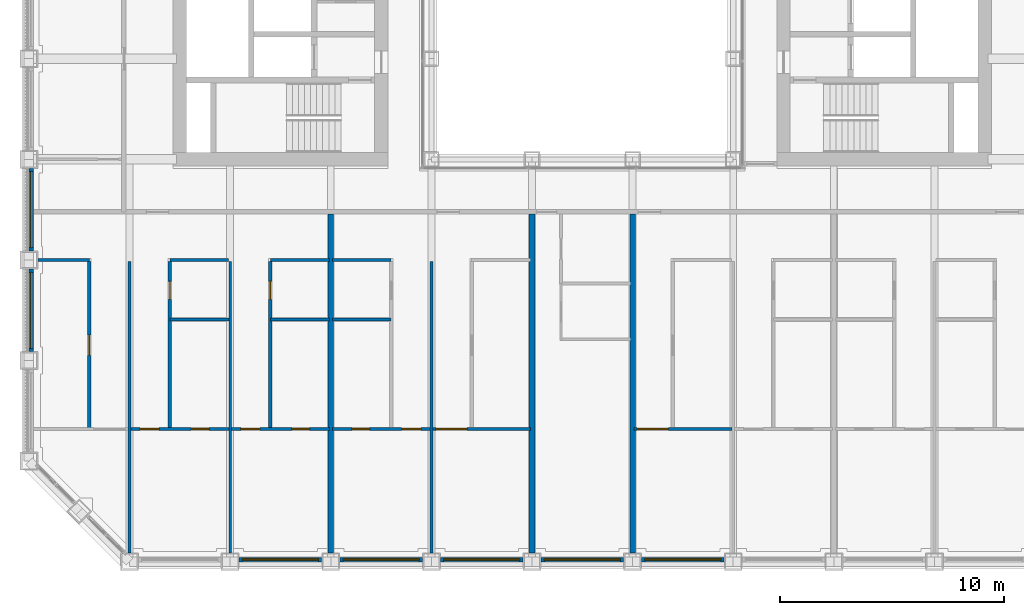
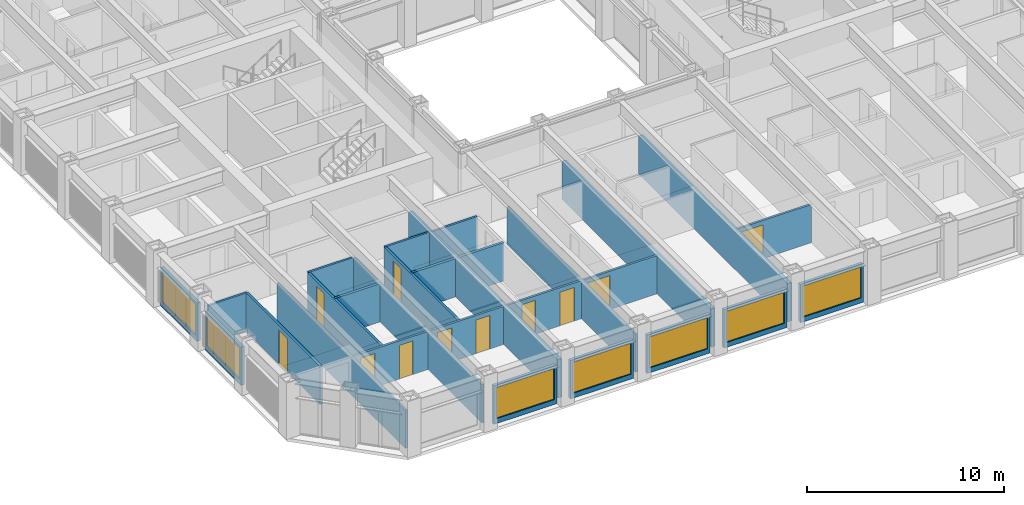
# One storey, part 9 of 21: 28 walls, 11 doors, 7 windows, 18 openings.
"""IFC4 building model written with IfcOpenShell, lengths in metres."""

from ifc_helpers import new_model, si_unit, direction, frame, frame_2d, origin, place, context, subcontext, project, spatial, rectangle, extrude, material, layer, layer_set, type_object, element, fill, save


model = new_model("IFC4")

# Units and contexts
model_context = context("Model", 3, precision=1e-05, world=origin(), true_north=direction((0.0, 1.0)))
body_context = subcontext(model_context, "Body", "Model", "MODEL_VIEW")
ifc_project = project(units=[si_unit("LENGTHUNIT", "METRE"), si_unit("AREAUNIT", "SQUARE_METRE"), si_unit("VOLUMEUNIT", "CUBIC_METRE"), si_unit("PLANEANGLEUNIT", "RADIAN"), si_unit("MASSUNIT", "GRAM", prefix="KILO")], contexts=[model_context])

# Site, building, storey
site_placement = place(None, origin())
site = spatial("IfcSite", under=ifc_project, at=site_placement, CompositionType="ELEMENT")
building_placement = place(site_placement, origin())
building = spatial("IfcBuilding", under=site, at=building_placement, Name="Msasa Ring Tower", CompositionType="ELEMENT")
storey_placement = place(building_placement, frame((0.0, 0.0, 68.5)))
storey = spatial("IfcBuildingStorey", under=building, at=storey_placement, Name="L17", CompositionType="ELEMENT", Elevation=68.5)

# Wall, opening, window
ifc_material_1 = material(Name="Terracotta rainscreen on blockwork", Category="masonry")
ifc_layer_1 = layer(ifc_material_1, 0.199951171875)
ifc_layer_set_1 = layer_set([ifc_layer_1], Name="FW1 TERRACOTTA-LINED INFILL BAY WALL 200")
wall_type_1 = type_object("IfcWallType", Name="FW1 TERRACOTTA-LINED INFILL BAY WALL 200", PredefinedType="SOLIDWALL", material=ifc_layer_set_1)
wall_1_placement = place(storey_placement, frame((-15.344970703125, -24.64990234375, 0.0), z_axis=(0.0, 0.0, 1.0), x_axis=(1.0, 0.0, 0.0)))
wall_1 = element("IfcWall", 1, at=wall_1_placement, inside=storey, type_object=wall_type_1, Name="Infill bay wall S L17 01", PredefinedType="SOLIDWALL", context=body_context, shape_type="SweptSolid", body=[
    extrude(rectangle(XDim=3.68994140625, YDim=0.199951171875, at=frame_2d((1.844970703125, 0.0))), origin(), (0.0, 0.0, 1.0), 2.37890625),
])
opening_1_placement = place(wall_1_placement, frame((0.14501953125, 0.0, 0.300048828125)))
opening_1 = element("IfcOpeningElement", 2, at=opening_1_placement, cuts=wall_1, Name="Opening WN1", PredefinedType="OPENING", context=body_context, shape_type="SweptSolid", body=[
    extrude(rectangle(XDim=3.39990234375, YDim=1.928955078125, at=frame_2d((1.699951171875, 0.96435546875))), frame((0.0, 0.10986328125, 0.0), z_axis=(0.0, -1.0, 0.0), x_axis=(1.0, 0.0, 0.0)), (0.0, 0.0, 1.0), 0.219970703125),
])
ifc_material_2 = material(Name="Aluminium frame with clear glass", Category="aluminium")
window_type = type_object("IfcWindowType", Name="WN1 RESIDENCE WINDOW 3400x1929", PartitioningType="SINGLE_PANEL", PredefinedType="WINDOW", material=ifc_material_2)
window_1_placement = place(opening_1_placement, origin())
window_1 = element("IfcWindow", 3, at=window_1_placement, inside=storey, type_object=window_type, Name="Window S L17 01", OverallHeight=1.928955078125, OverallWidth=3.39990234375, PartitioningType="SINGLE_PANEL", PredefinedType="WINDOW", context=body_context, shape_type="SweptSolid", body=[
    extrude(rectangle(XDim=3.39990234375, YDim=1.928955078125, at=frame_2d((1.699951171875, 0.96435546875))), frame((0.0, 0.030029296875, 0.0), z_axis=(0.0, -1.0, 0.0), x_axis=(1.0, 0.0, 0.0)), (0.0, 0.0, 1.0), 0.06005859375),
])
fill(opening_1, window_1)

wall_2_placement = place(storey_placement, frame((-10.844970703125, -24.64990234375, 0.0), z_axis=(0.0, 0.0, 1.0), x_axis=(1.0, 0.0, 0.0)))
wall_2 = element("IfcWall", 4, at=wall_2_placement, inside=storey, type_object=wall_type_1, Name="Infill bay wall S L17 02", PredefinedType="SOLIDWALL", context=body_context, shape_type="SweptSolid", body=[
    extrude(rectangle(XDim=3.68994140625, YDim=0.199951171875, at=frame_2d((1.844970703125, 0.0))), origin(), (0.0, 0.0, 1.0), 2.37890625),
])
opening_2_placement = place(wall_2_placement, frame((0.14501953125, 0.0, 0.300048828125)))
opening_2 = element("IfcOpeningElement", 5, at=opening_2_placement, cuts=wall_2, Name="Opening WN1", PredefinedType="OPENING", context=body_context, shape_type="SweptSolid", body=[
    extrude(rectangle(XDim=3.39990234375, YDim=1.928955078125, at=frame_2d((1.699951171875, 0.96435546875))), frame((0.0, 0.10986328125, 0.0), z_axis=(0.0, -1.0, 0.0), x_axis=(1.0, 0.0, 0.0)), (0.0, 0.0, 1.0), 0.219970703125),
])
window_2_placement = place(opening_2_placement, origin())
window_2 = element("IfcWindow", 6, at=window_2_placement, inside=storey, type_object=window_type, Name="Window S L17 02", OverallHeight=1.928955078125, OverallWidth=3.39990234375, PartitioningType="SINGLE_PANEL", PredefinedType="WINDOW", context=body_context, shape_type="SweptSolid", body=[
    extrude(rectangle(XDim=3.39990234375, YDim=1.928955078125, at=frame_2d((1.699951171875, 0.96435546875))), frame((0.0, 0.030029296875, 0.0), z_axis=(0.0, -1.0, 0.0), x_axis=(1.0, 0.0, 0.0)), (0.0, 0.0, 1.0), 0.06005859375),
])
fill(opening_2, window_2)

wall_3_placement = place(storey_placement, frame((-6.344970703125, -24.64990234375, 0.0), z_axis=(0.0, 0.0, 1.0), x_axis=(1.0, 0.0, 0.0)))
wall_3 = element("IfcWall", 7, at=wall_3_placement, inside=storey, type_object=wall_type_1, Name="Infill bay wall S L17 03", PredefinedType="SOLIDWALL", context=body_context, shape_type="SweptSolid", body=[
    extrude(rectangle(XDim=3.68994140625, YDim=0.199951171875, at=frame_2d((1.844970703125, 0.0))), origin(), (0.0, 0.0, 1.0), 2.37890625),
])
opening_3_placement = place(wall_3_placement, frame((0.14501953125, 0.0, 0.300048828125)))
opening_3 = element("IfcOpeningElement", 8, at=opening_3_placement, cuts=wall_3, Name="Opening WN1", PredefinedType="OPENING", context=body_context, shape_type="SweptSolid", body=[
    extrude(rectangle(XDim=3.39990234375, YDim=1.928955078125, at=frame_2d((1.699951171875, 0.96435546875))), frame((0.0, 0.10986328125, 0.0), z_axis=(0.0, -1.0, 0.0), x_axis=(1.0, 0.0, 0.0)), (0.0, 0.0, 1.0), 0.219970703125),
])
window_3_placement = place(opening_3_placement, origin())
window_3 = element("IfcWindow", 9, at=window_3_placement, inside=storey, type_object=window_type, Name="Window S L17 03", OverallHeight=1.928955078125, OverallWidth=3.39990234375, PartitioningType="SINGLE_PANEL", PredefinedType="WINDOW", context=body_context, shape_type="SweptSolid", body=[
    extrude(rectangle(XDim=3.39990234375, YDim=1.928955078125, at=frame_2d((1.699951171875, 0.96435546875))), frame((0.0, 0.030029296875, 0.0), z_axis=(0.0, -1.0, 0.0), x_axis=(1.0, 0.0, 0.0)), (0.0, 0.0, 1.0), 0.06005859375),
])
fill(opening_3, window_3)

wall_4_placement = place(storey_placement, frame((-1.844970703125, -24.64990234375, 0.0), z_axis=(0.0, 0.0, 1.0), x_axis=(1.0, 0.0, 0.0)))
wall_4 = element("IfcWall", 10, at=wall_4_placement, inside=storey, type_object=wall_type_1, Name="Infill bay wall S L17 04", PredefinedType="SOLIDWALL", context=body_context, shape_type="SweptSolid", body=[
    extrude(rectangle(XDim=3.68994140625, YDim=0.199951171875, at=frame_2d((1.844970703125, 0.0))), origin(), (0.0, 0.0, 1.0), 2.37890625),
])
opening_4_placement = place(wall_4_placement, frame((0.14501953125, 0.0, 0.300048828125)))
opening_4 = element("IfcOpeningElement", 11, at=opening_4_placement, cuts=wall_4, Name="Opening WN1", PredefinedType="OPENING", context=body_context, shape_type="SweptSolid", body=[
    extrude(rectangle(XDim=3.39990234375, YDim=1.928955078125, at=frame_2d((1.699951171875, 0.96435546875))), frame((0.0, 0.10986328125, 0.0), z_axis=(0.0, -1.0, 0.0), x_axis=(1.0, 0.0, 0.0)), (0.0, 0.0, 1.0), 0.219970703125),
])
window_4_placement = place(opening_4_placement, origin())
window_4 = element("IfcWindow", 12, at=window_4_placement, inside=storey, type_object=window_type, Name="Window S L17 04", OverallHeight=1.928955078125, OverallWidth=3.39990234375, PartitioningType="SINGLE_PANEL", PredefinedType="WINDOW", context=body_context, shape_type="SweptSolid", body=[
    extrude(rectangle(XDim=3.39990234375, YDim=1.928955078125, at=frame_2d((1.699951171875, 0.96435546875))), frame((0.0, 0.030029296875, 0.0), z_axis=(0.0, -1.0, 0.0), x_axis=(1.0, 0.0, 0.0)), (0.0, 0.0, 1.0), 0.06005859375),
])
fill(opening_4, window_4)

wall_5_placement = place(storey_placement, frame((2.655029296875, -24.64990234375, 0.0), z_axis=(0.0, 0.0, 1.0), x_axis=(1.0, 0.0, 0.0)))
wall_5 = element("IfcWall", 13, at=wall_5_placement, inside=storey, type_object=wall_type_1, Name="Infill bay wall S L17 05", PredefinedType="SOLIDWALL", context=body_context, shape_type="SweptSolid", body=[
    extrude(rectangle(XDim=3.68994140625, YDim=0.199951171875, at=frame_2d((1.844970703125, 0.0))), origin(), (0.0, 0.0, 1.0), 2.37890625),
])
opening_5_placement = place(wall_5_placement, frame((0.14501953125, 0.0, 0.300048828125)))
opening_5 = element("IfcOpeningElement", 14, at=opening_5_placement, cuts=wall_5, Name="Opening WN1", PredefinedType="OPENING", context=body_context, shape_type="SweptSolid", body=[
    extrude(rectangle(XDim=3.39990234375, YDim=1.928955078125, at=frame_2d((1.699951171875, 0.96435546875))), frame((0.0, 0.10986328125, 0.0), z_axis=(0.0, -1.0, 0.0), x_axis=(1.0, 0.0, 0.0)), (0.0, 0.0, 1.0), 0.219970703125),
])
window_5_placement = place(opening_5_placement, origin())
window_5 = element("IfcWindow", 15, at=window_5_placement, inside=storey, type_object=window_type, Name="Window S L17 05", OverallHeight=1.928955078125, OverallWidth=3.39990234375, PartitioningType="SINGLE_PANEL", PredefinedType="WINDOW", context=body_context, shape_type="SweptSolid", body=[
    extrude(rectangle(XDim=3.39990234375, YDim=1.928955078125, at=frame_2d((1.699951171875, 0.96435546875))), frame((0.0, 0.030029296875, 0.0), z_axis=(0.0, -1.0, 0.0), x_axis=(1.0, 0.0, 0.0)), (0.0, 0.0, 1.0), 0.06005859375),
])
fill(opening_5, window_5)

wall_6_placement = place(storey_placement, frame((-24.64990234375, -15.344970703125, 0.0), z_axis=(0.0, 0.0, 1.0), x_axis=(0.0, 1.0, 0.0)))
wall_6 = element("IfcWall", 16, at=wall_6_placement, inside=storey, type_object=wall_type_1, Name="Infill bay wall W L17 34", PredefinedType="SOLIDWALL", context=body_context, shape_type="SweptSolid", body=[
    extrude(rectangle(XDim=3.68994140625, YDim=0.199951171875, at=frame_2d((1.844970703125, 0.0))), origin(), (0.0, 0.0, 1.0), 2.37890625),
])
opening_6_placement = place(wall_6_placement, frame((0.14501953125, 0.0, 0.300048828125)))
opening_6 = element("IfcOpeningElement", 17, at=opening_6_placement, cuts=wall_6, Name="Opening WN1", PredefinedType="OPENING", context=body_context, shape_type="SweptSolid", body=[
    extrude(rectangle(XDim=3.39990234375, YDim=1.928955078125, at=frame_2d((1.699951171875, 0.96435546875))), frame((0.0, 0.10986328125, 0.0), z_axis=(0.0, -1.0, 0.0), x_axis=(1.0, 0.0, 0.0)), (0.0, 0.0, 1.0), 0.219970703125),
])
window_6_placement = place(opening_6_placement, origin())
window_6 = element("IfcWindow", 18, at=window_6_placement, inside=storey, type_object=window_type, Name="Window W L17 34", OverallHeight=1.928955078125, OverallWidth=3.39990234375, PartitioningType="SINGLE_PANEL", PredefinedType="WINDOW", context=body_context, shape_type="SweptSolid", body=[
    extrude(rectangle(XDim=3.39990234375, YDim=1.928955078125, at=frame_2d((1.699951171875, 0.96435546875))), frame((0.0, 0.030029296875, 0.0), z_axis=(0.0, -1.0, 0.0), x_axis=(1.0, 0.0, 0.0)), (0.0, 0.0, 1.0), 0.06005859375),
])
fill(opening_6, window_6)

wall_7_placement = place(storey_placement, frame((-24.64990234375, -10.844970703125, 0.0), z_axis=(0.0, 0.0, 1.0), x_axis=(0.0, 1.0, 0.0)))
wall_7 = element("IfcWall", 19, at=wall_7_placement, inside=storey, type_object=wall_type_1, Name="Infill bay wall W L17 35", PredefinedType="SOLIDWALL", context=body_context, shape_type="SweptSolid", body=[
    extrude(rectangle(XDim=3.68994140625, YDim=0.199951171875, at=frame_2d((1.844970703125, 0.0))), origin(), (0.0, 0.0, 1.0), 2.37890625),
])
opening_7_placement = place(wall_7_placement, frame((0.14501953125, 0.0, 0.300048828125)))
opening_7 = element("IfcOpeningElement", 20, at=opening_7_placement, cuts=wall_7, Name="Opening WN1", PredefinedType="OPENING", context=body_context, shape_type="SweptSolid", body=[
    extrude(rectangle(XDim=3.39990234375, YDim=1.928955078125, at=frame_2d((1.699951171875, 0.96435546875))), frame((0.0, 0.10986328125, 0.0), z_axis=(0.0, -1.0, 0.0), x_axis=(1.0, 0.0, 0.0)), (0.0, 0.0, 1.0), 0.219970703125),
])
window_7_placement = place(opening_7_placement, origin())
window_7 = element("IfcWindow", 21, at=window_7_placement, inside=storey, type_object=window_type, Name="Window W L17 35", OverallHeight=1.928955078125, OverallWidth=3.39990234375, PartitioningType="SINGLE_PANEL", PredefinedType="WINDOW", context=body_context, shape_type="SweptSolid", body=[
    extrude(rectangle(XDim=3.39990234375, YDim=1.928955078125, at=frame_2d((1.699951171875, 0.96435546875))), frame((0.0, 0.030029296875, 0.0), z_axis=(0.0, -1.0, 0.0), x_axis=(1.0, 0.0, 0.0)), (0.0, 0.0, 1.0), 0.06005859375),
])
fill(opening_7, window_7)

# Walls
ifc_material_3 = material(Name="Dense concrete blockwork, plastered both faces", Category="masonry")
ifc_layer_2 = layer(ifc_material_3, 0.25)
ifc_layer_set_2 = layer_set([ifc_layer_2], Name="PT3 APARTMENT SEPARATING WALL 250")
wall_type_2 = type_object("IfcWallType", Name="PT3 APARTMENT SEPARATING WALL 250", PredefinedType="PARTITIONING", material=ifc_layer_set_2)
for number, where, z_axis, x_axis, name in (
    (22, (-11.25, -24.35009765625, 0.0), (0.0, 0.0, 1.0), (0.0, 1.0, 0.0), "Party wall L17-PWS-11.25"),
    (23, (-2.25, -24.35009765625, 0.0), (0.0, 0.0, 1.0), (0.0, 1.0, 0.0), "Party wall L17-PWS-2.25"),
    (24, (2.25, -24.35009765625, 0.0), (0.0, 0.0, 1.0), (0.0, 1.0, 0.0), "Party wall L17-PWS+2.25"),
):
    element("IfcWall", number, at=place(storey_placement, frame(where, z_axis=z_axis, x_axis=x_axis)), inside=storey, type_object=wall_type_2, Name=name, PredefinedType="PARTITIONING", context=body_context, shape_type="SweptSolid", body=[
        extrude(rectangle(XDim=15.150146484375, YDim=0.25, at=frame_2d((7.5751953125, 0.0))), origin(), (0.0, 0.0, 1.0), 2.373291015625),
    ])

# Wall, opening, door
ifc_material_4 = material(Name="Moisture-resistant board on steel studs with a concealed cistern and pipe void, tiled", Category="steel")
ifc_layer_3 = layer(ifc_material_4, 0.14990234375)
ifc_layer_set_3 = layer_set([ifc_layer_3], Name="PT4 BATHROOM WET WALL 150")
wall_type_3 = type_object("IfcWallType", Name="PT4 BATHROOM WET WALL 150", PredefinedType="PARTITIONING", material=ifc_layer_set_3)
wall_8_placement = place(storey_placement, frame((-22.050048828125, -18.8125, 0.0), z_axis=(0.0, 0.0, 1.0), x_axis=(0.0, 1.0, 0.0)))
wall_8 = element("IfcWall", 25, at=wall_8_placement, inside=storey, type_object=wall_type_3, Name="Partition L17-US00SX0", PredefinedType="PARTITIONING", context=body_context, shape_type="SweptSolid", body=[
    extrude(rectangle(XDim=7.5, YDim=0.14990234375, at=frame_2d((3.75, 0.0))), origin(), (0.0, 0.0, 1.0), 2.373291015625),
])
opening_8_placement = place(wall_8_placement, frame((3.300048828125, 0.0, 0.0)))
opening_8 = element("IfcOpeningElement", 26, at=opening_8_placement, cuts=wall_8, Name="Opening RE-069", PredefinedType="OPENING", context=body_context, shape_type="SweptSolid", body=[
    extrude(rectangle(XDim=0.89990234375, YDim=2.10009765625, at=frame_2d((0.449951171875, 1.050048828125))), frame((0.0, 0.0849609375, 0.0), z_axis=(0.0, -1.0, 0.0), x_axis=(1.0, 0.0, 0.0)), (0.0, 0.0, 1.0), 0.169921875),
])
ifc_material_5 = material(Name="Timber door leaf in a steel frame", Category="steel")
door_type_1 = type_object("IfcDoorType", Name="D22 INTERNAL HALL DOOR 900x2100", OperationType="SINGLE_SWING_LEFT", PredefinedType="DOOR", material=ifc_material_5)
door_1_placement = place(opening_8_placement, origin())
door_1 = element("IfcDoor", 27, at=door_1_placement, inside=storey, type_object=door_type_1, Name="Door L17-US00K", OperationType="SINGLE_SWING_LEFT", OverallHeight=2.10009765625, OverallWidth=0.89990234375, PredefinedType="DOOR", context=body_context, shape_type="SweptSolid", body=[
    extrude(rectangle(XDim=0.89990234375, YDim=2.10009765625, at=frame_2d((0.449951171875, 1.050048828125))), frame((0.0, 0.02490234375, 0.0), z_axis=(0.0, -1.0, 0.0), x_axis=(1.0, 0.0, 0.0)), (0.0, 0.0, 1.0), 0.050048828125),
])
fill(opening_8, door_1)

wall_9_placement = place(storey_placement, frame((-18.449951171875, -18.8125, 0.0), z_axis=(0.0, 0.0, 1.0), x_axis=(0.0, 1.0, 0.0)))
wall_9 = element("IfcWall", 28, at=wall_9_placement, inside=storey, type_object=wall_type_3, Name="Partition L17-US00SX1", PredefinedType="PARTITIONING", context=body_context, shape_type="SweptSolid", body=[
    extrude(rectangle(XDim=7.5, YDim=0.14990234375, at=frame_2d((3.75, 0.0))), origin(), (0.0, 0.0, 1.0), 2.373291015625),
])
opening_9_placement = place(wall_9_placement, frame((5.800048828125, 0.0, 0.0)))
opening_9 = element("IfcOpeningElement", 29, at=opening_9_placement, cuts=wall_9, Name="Opening RE-062", PredefinedType="OPENING", context=body_context, shape_type="SweptSolid", body=[
    extrude(rectangle(XDim=0.800048828125, YDim=2.10009765625, at=frame_2d((0.39990234375, 1.050048828125))), frame((0.0, 0.0849609375, 0.0), z_axis=(0.0, -1.0, 0.0), x_axis=(1.0, 0.0, 0.0)), (0.0, 0.0, 1.0), 0.169921875),
])
ifc_material_6 = material(Name="Timber door leaf in a steel frame", Category="steel")
door_type_2 = type_object("IfcDoorType", Name="D21 POCKET SLIDING BATHROOM DOOR 800x2100", OperationType="SINGLE_SWING_LEFT", PredefinedType="DOOR", material=ifc_material_6)
door_2_placement = place(opening_9_placement, origin())
door_2 = element("IfcDoor", 30, at=door_2_placement, inside=storey, type_object=door_type_2, Name="Door L17-US00B1", OperationType="SINGLE_SWING_RIGHT", OverallHeight=2.10009765625, OverallWidth=0.800048828125, PredefinedType="DOOR", context=body_context, shape_type="SweptSolid", body=[
    extrude(rectangle(XDim=0.800048828125, YDim=2.10009765625, at=frame_2d((0.39990234375, 1.050048828125))), frame((0.0, 0.02490234375, 0.0), z_axis=(0.0, -1.0, 0.0), x_axis=(1.0, 0.0, 0.0)), (0.0, 0.0, 1.0), 0.050048828125),
])
fill(opening_9, door_2)

# Wall
wall_10_placement = place(storey_placement, frame((-18.449951171875, -13.91259765625, 0.0), z_axis=(0.0, 0.0, 1.0), x_axis=(1.0, 0.0, 0.0)))
element("IfcWall", 31, at=wall_10_placement, inside=storey, type_object=wall_type_3, Name="Partition L17-US00SB1", PredefinedType="PARTITIONING", context=body_context, shape_type="SweptSolid", body=[
    extrude(rectangle(XDim=2.637451171875, YDim=0.14990234375, at=frame_2d((1.31884765625, 0.0))), origin(), (0.0, 0.0, 1.0), 2.373291015625),
])

# Wall, opening, door
wall_11_placement = place(storey_placement, frame((-13.949951171875, -18.8125, 0.0), z_axis=(0.0, 0.0, 1.0), x_axis=(0.0, 1.0, 0.0)))
wall_11 = element("IfcWall", 32, at=wall_11_placement, inside=storey, type_object=wall_type_3, Name="Partition L17-US00SX2", PredefinedType="PARTITIONING", context=body_context, shape_type="SweptSolid", body=[
    extrude(rectangle(XDim=7.5, YDim=0.14990234375, at=frame_2d((3.75, 0.0))), origin(), (0.0, 0.0, 1.0), 2.373291015625),
])
opening_10_placement = place(wall_11_placement, frame((5.800048828125, 0.0, 0.0)))
opening_10 = element("IfcOpeningElement", 33, at=opening_10_placement, cuts=wall_11, Name="Opening RE-063", PredefinedType="OPENING", context=body_context, shape_type="SweptSolid", body=[
    extrude(rectangle(XDim=0.800048828125, YDim=2.10009765625, at=frame_2d((0.39990234375, 1.050048828125))), frame((0.0, 0.0849609375, 0.0), z_axis=(0.0, -1.0, 0.0), x_axis=(1.0, 0.0, 0.0)), (0.0, 0.0, 1.0), 0.169921875),
])
door_3_placement = place(opening_10_placement, origin())
door_3 = element("IfcDoor", 34, at=door_3_placement, inside=storey, type_object=door_type_2, Name="Door L17-US00B2", OperationType="SINGLE_SWING_RIGHT", OverallHeight=2.10009765625, OverallWidth=0.800048828125, PredefinedType="DOOR", context=body_context, shape_type="SweptSolid", body=[
    extrude(rectangle(XDim=0.800048828125, YDim=2.10009765625, at=frame_2d((0.39990234375, 1.050048828125))), frame((0.0, 0.02490234375, 0.0), z_axis=(0.0, -1.0, 0.0), x_axis=(1.0, 0.0, 0.0)), (0.0, 0.0, 1.0), 0.050048828125),
])
fill(opening_10, door_3)

# Walls
for number, where, z_axis, x_axis, name in (
    (35, (-13.949951171875, -13.91259765625, 0.0), (0.0, 0.0, 1.0), (1.0, 0.0, 0.0), "Partition L17-US00SB2"),
    (36, (-11.1826171875, -13.91259765625, 0.0), (0.0, 0.0, 1.0), (1.0, 0.0, 0.0), "Partition L17-US01SB1"),
):
    element("IfcWall", number, at=place(storey_placement, frame(where, z_axis=z_axis, x_axis=x_axis)), inside=storey, type_object=wall_type_3, Name=name, PredefinedType="PARTITIONING", context=body_context, shape_type="SweptSolid", body=[
        extrude(rectangle(XDim=2.632568359375, YDim=0.14990234375, at=frame_2d((1.31640625, 0.0))), origin(), (0.0, 0.0, 1.0), 2.373291015625),
    ])
ifc_material_7 = material(Name="Two layers of acoustic board each face on steel studs, mineral wool", Category="steel")
ifc_layer_4 = layer(ifc_material_7, 0.125)
ifc_layer_set_4 = layer_set([ifc_layer_4], Name="PT6 ACOUSTIC DOUBLE-BOARD PARTITION 125")
wall_type_4 = type_object("IfcWallType", Name="PT6 ACOUSTIC DOUBLE-BOARD PARTITION 125", PredefinedType="PARTITIONING", material=ifc_layer_set_4)
wall_12_placement = place(storey_placement, frame((-24.35009765625, -11.25, 0.0), z_axis=(0.0, 0.0, 1.0), x_axis=(1.0, 0.0, 0.0)))
element("IfcWall", 37, at=wall_12_placement, inside=storey, type_object=wall_type_4, Name="Partition L17-US00HY0", PredefinedType="PARTITIONING", context=body_context, shape_type="SweptSolid", body=[
    extrude(rectangle(XDim=2.300048828125, YDim=0.125, at=frame_2d((1.14990234375, 0.0))), origin(), (0.0, 0.0, 1.0), 2.373291015625),
])
wall_13_placement = place(storey_placement, frame((-20.25, -24.35009765625, 0.0), z_axis=(0.0, 0.0, 1.0), x_axis=(0.0, 1.0, 0.0)))
element("IfcWall", 38, at=wall_13_placement, inside=storey, type_object=wall_type_4, Name="Partition L17-US00P1", PredefinedType="PARTITIONING", context=body_context, shape_type="SweptSolid", body=[
    extrude(rectangle(XDim=13.03759765625, YDim=0.125, at=frame_2d((6.518798828125, 0.0))), origin(), (0.0, 0.0, 1.0), 2.373291015625),
])
wall_14_placement = place(storey_placement, frame((-18.449951171875, -11.25, 0.0), z_axis=(0.0, 0.0, 1.0), x_axis=(1.0, 0.0, 0.0)))
element("IfcWall", 39, at=wall_14_placement, inside=storey, type_object=wall_type_4, Name="Partition L17-US00HY1", PredefinedType="PARTITIONING", context=body_context, shape_type="SweptSolid", body=[
    extrude(rectangle(XDim=2.632568359375, YDim=0.125, at=frame_2d((1.31640625, 0.0))), origin(), (0.0, 0.0, 1.0), 2.373291015625),
])

# Wall, openings, doors
wall_15_placement = place(storey_placement, frame((-20.1875, -18.8125, 0.0), z_axis=(0.0, 0.0, 1.0), x_axis=(1.0, 0.0, 0.0)))
wall_15 = element("IfcWall", 40, at=wall_15_placement, inside=storey, type_object=wall_type_4, Name="Partition L17-US00SY1", PredefinedType="PARTITIONING", context=body_context, shape_type="SweptSolid", body=[
    extrude(rectangle(XDim=4.375, YDim=0.125, at=frame_2d((2.1875, 0.0))), origin(), (0.0, 0.0, 1.0), 2.373291015625),
])
opening_11_placement = place(wall_15_placement, frame((0.41259765625, 0.0, 0.0)))
opening_11 = element("IfcOpeningElement", 41, at=opening_11_placement, cuts=wall_15, Name="Opening RE-074", PredefinedType="OPENING", context=body_context, shape_type="SweptSolid", body=[
    extrude(rectangle(XDim=0.85009765625, YDim=2.10009765625, at=frame_2d((0.425048828125, 1.050048828125))), frame((0.0, 0.072509765625, 0.0), z_axis=(0.0, -1.0, 0.0), x_axis=(1.0, 0.0, 0.0)), (0.0, 0.0, 1.0), 0.14501953125),
])
opening_12_placement = place(wall_15_placement, frame((2.693603515625, 0.0, 0.0)))
opening_12 = element("IfcOpeningElement", 42, at=opening_12_placement, cuts=wall_15, Name="Opening RE-075", PredefinedType="OPENING", context=body_context, shape_type="SweptSolid", body=[
    extrude(rectangle(XDim=0.800048828125, YDim=2.10009765625, at=frame_2d((0.39990234375, 1.050048828125))), frame((0.0, 0.072509765625, 0.0), z_axis=(0.0, -1.0, 0.0), x_axis=(1.0, 0.0, 0.0)), (0.0, 0.0, 1.0), 0.14501953125),
])
ifc_material_8 = material(Name="Timber door leaf in a steel frame", Category="steel")
door_type_3 = type_object("IfcDoorType", Name="D14 BEDROOM DOOR 850x2100", OperationType="SINGLE_SWING_LEFT", PredefinedType="DOOR", material=ifc_material_8)
door_4_placement = place(opening_11_placement, origin())
door_4 = element("IfcDoor", 43, at=door_4_placement, inside=storey, type_object=door_type_3, Name="Door L17-US00R1", OperationType="SINGLE_SWING_LEFT", OverallHeight=2.10009765625, OverallWidth=0.85009765625, PredefinedType="DOOR", context=body_context, shape_type="SweptSolid", body=[
    extrude(rectangle(XDim=0.85009765625, YDim=2.10009765625, at=frame_2d((0.425048828125, 1.050048828125))), frame((0.0, 0.02490234375, 0.0), z_axis=(0.0, -1.0, 0.0), x_axis=(1.0, 0.0, 0.0)), (0.0, 0.0, 1.0), 0.050048828125),
])
fill(opening_11, door_4)
ifc_material_9 = material(Name="Timber door leaf in a steel frame", Category="steel")
door_type_4 = type_object("IfcDoorType", Name="D60 DRESSING ROOM DOOR 800x2100", OperationType="SINGLE_SWING_LEFT", PredefinedType="DOOR", material=ifc_material_9)
door_5_placement = place(opening_12_placement, origin())
door_5 = element("IfcDoor", 44, at=door_5_placement, inside=storey, type_object=door_type_4, Name="Door L17-US00W1", OperationType="SINGLE_SWING_RIGHT", OverallHeight=2.10009765625, OverallWidth=0.800048828125, PredefinedType="DOOR", context=body_context, shape_type="SweptSolid", body=[
    extrude(rectangle(XDim=0.800048828125, YDim=2.10009765625, at=frame_2d((0.39990234375, 1.050048828125))), frame((0.0, 0.02490234375, 0.0), z_axis=(0.0, -1.0, 0.0), x_axis=(1.0, 0.0, 0.0)), (0.0, 0.0, 1.0), 0.050048828125),
])
fill(opening_12, door_5)

# Walls
wall_16_placement = place(storey_placement, frame((-15.75, -24.35009765625, 0.0), z_axis=(0.0, 0.0, 1.0), x_axis=(0.0, 1.0, 0.0)))
element("IfcWall", 45, at=wall_16_placement, inside=storey, type_object=wall_type_4, Name="Partition L17-US00P2", PredefinedType="PARTITIONING", context=body_context, shape_type="SweptSolid", body=[
    extrude(rectangle(XDim=13.03759765625, YDim=0.125, at=frame_2d((6.518798828125, 0.0))), origin(), (0.0, 0.0, 1.0), 2.373291015625),
])
wall_17_placement = place(storey_placement, frame((-13.949951171875, -11.25, 0.0), z_axis=(0.0, 0.0, 1.0), x_axis=(1.0, 0.0, 0.0)))
element("IfcWall", 46, at=wall_17_placement, inside=storey, type_object=wall_type_4, Name="Partition L17-US00HY2", PredefinedType="PARTITIONING", context=body_context, shape_type="SweptSolid", body=[
    extrude(rectangle(XDim=2.632568359375, YDim=0.125, at=frame_2d((1.31640625, 0.0))), origin(), (0.0, 0.0, 1.0), 2.373291015625),
])

# Wall, openings, doors
wall_18_placement = place(storey_placement, frame((-15.6875, -18.8125, 0.0), z_axis=(0.0, 0.0, 1.0), x_axis=(1.0, 0.0, 0.0)))
wall_18 = element("IfcWall", 47, at=wall_18_placement, inside=storey, type_object=wall_type_4, Name="Partition L17-US00SY2", PredefinedType="PARTITIONING", context=body_context, shape_type="SweptSolid", body=[
    extrude(rectangle(XDim=4.3701171875, YDim=0.125, at=frame_2d((2.18505859375, 0.0))), origin(), (0.0, 0.0, 1.0), 2.373291015625),
])
opening_13_placement = place(wall_18_placement, frame((0.41259765625, 0.0, 0.0)))
opening_13 = element("IfcOpeningElement", 48, at=opening_13_placement, cuts=wall_18, Name="Opening RE-076", PredefinedType="OPENING", context=body_context, shape_type="SweptSolid", body=[
    extrude(rectangle(XDim=0.85009765625, YDim=2.10009765625, at=frame_2d((0.425048828125, 1.050048828125))), frame((0.0, 0.072509765625, 0.0), z_axis=(0.0, -1.0, 0.0), x_axis=(1.0, 0.0, 0.0)), (0.0, 0.0, 1.0), 0.14501953125),
])
opening_14_placement = place(wall_18_placement, frame((2.693603515625, 0.0, 0.0)))
opening_14 = element("IfcOpeningElement", 49, at=opening_14_placement, cuts=wall_18, Name="Opening RE-077", PredefinedType="OPENING", context=body_context, shape_type="SweptSolid", body=[
    extrude(rectangle(XDim=0.800048828125, YDim=2.10009765625, at=frame_2d((0.39990234375, 1.050048828125))), frame((0.0, 0.072509765625, 0.0), z_axis=(0.0, -1.0, 0.0), x_axis=(1.0, 0.0, 0.0)), (0.0, 0.0, 1.0), 0.14501953125),
])
door_6_placement = place(opening_13_placement, origin())
door_6 = element("IfcDoor", 50, at=door_6_placement, inside=storey, type_object=door_type_3, Name="Door L17-US00R2", OperationType="SINGLE_SWING_LEFT", OverallHeight=2.10009765625, OverallWidth=0.85009765625, PredefinedType="DOOR", context=body_context, shape_type="SweptSolid", body=[
    extrude(rectangle(XDim=0.85009765625, YDim=2.10009765625, at=frame_2d((0.425048828125, 1.050048828125))), frame((0.0, 0.02490234375, 0.0), z_axis=(0.0, -1.0, 0.0), x_axis=(1.0, 0.0, 0.0)), (0.0, 0.0, 1.0), 0.050048828125),
])
fill(opening_13, door_6)
door_7_placement = place(opening_14_placement, origin())
door_7 = element("IfcDoor", 51, at=door_7_placement, inside=storey, type_object=door_type_4, Name="Door L17-US00W2", OperationType="SINGLE_SWING_RIGHT", OverallHeight=2.10009765625, OverallWidth=0.800048828125, PredefinedType="DOOR", context=body_context, shape_type="SweptSolid", body=[
    extrude(rectangle(XDim=0.800048828125, YDim=2.10009765625, at=frame_2d((0.39990234375, 1.050048828125))), frame((0.0, 0.02490234375, 0.0), z_axis=(0.0, -1.0, 0.0), x_axis=(1.0, 0.0, 0.0)), (0.0, 0.0, 1.0), 0.050048828125),
])
fill(opening_14, door_7)

# Wall, opening, door
wall_19_placement = place(storey_placement, frame((-6.6875, -18.8125, 0.0), z_axis=(0.0, 0.0, 1.0), x_axis=(1.0, 0.0, 0.0)))
wall_19 = element("IfcWall", 52, at=wall_19_placement, inside=storey, type_object=wall_type_4, Name="Partition L17-US01SY0", PredefinedType="PARTITIONING", context=body_context, shape_type="SweptSolid", body=[
    extrude(rectangle(XDim=4.3701171875, YDim=0.125, at=frame_2d((2.18505859375, 0.0))), origin(), (0.0, 0.0, 1.0), 2.373291015625),
])
opening_15_placement = place(wall_19_placement, frame((0.137451171875, 0.0, 0.0)))
opening_15 = element("IfcOpeningElement", 53, at=opening_15_placement, cuts=wall_19, Name="Opening RE-080", PredefinedType="OPENING", context=body_context, shape_type="SweptSolid", body=[
    extrude(rectangle(XDim=1.39990234375, YDim=2.10009765625, at=frame_2d((0.699951171875, 1.050048828125))), frame((0.0, 0.072509765625, 0.0), z_axis=(0.0, -1.0, 0.0), x_axis=(1.0, 0.0, 0.0)), (0.0, 0.0, 1.0), 0.14501953125),
])
ifc_material_10 = material(Name="Timber door leaf in a steel frame", Category="steel")
door_type_5 = type_object("IfcDoorType", Name="D15 LIVING ROOM PAIR OF GLAZED DOORS 1400x2100", OperationType="SINGLE_SWING_LEFT", PredefinedType="DOOR", material=ifc_material_10)
door_8_placement = place(opening_15_placement, origin())
door_8 = element("IfcDoor", 54, at=door_8_placement, inside=storey, type_object=door_type_5, Name="Door L17-US01L", OperationType="SINGLE_SWING_LEFT", OverallHeight=2.10009765625, OverallWidth=1.39990234375, PredefinedType="DOOR", context=body_context, shape_type="SweptSolid", body=[
    extrude(rectangle(XDim=1.39990234375, YDim=2.10009765625, at=frame_2d((0.699951171875, 1.050048828125))), frame((0.0, 0.02490234375, 0.0), z_axis=(0.0, -1.0, 0.0), x_axis=(1.0, 0.0, 0.0)), (0.0, 0.0, 1.0), 0.050048828125),
])
fill(opening_15, door_8)

# Walls
wall_20_placement = place(storey_placement, frame((-6.75, -24.35009765625, 0.0), z_axis=(0.0, 0.0, 1.0), x_axis=(0.0, 1.0, 0.0)))
element("IfcWall", 55, at=wall_20_placement, inside=storey, type_object=wall_type_4, Name="Partition L17-US01P1", PredefinedType="PARTITIONING", context=body_context, shape_type="SweptSolid", body=[
    extrude(rectangle(XDim=13.03759765625, YDim=0.125, at=frame_2d((6.518798828125, 0.0))), origin(), (0.0, 0.0, 1.0), 2.373291015625),
])
wall_21_placement = place(storey_placement, frame((-11.1826171875, -11.25, 0.0), z_axis=(0.0, 0.0, 1.0), x_axis=(1.0, 0.0, 0.0)))
element("IfcWall", 56, at=wall_21_placement, inside=storey, type_object=wall_type_4, Name="Partition L17-US01HY1", PredefinedType="PARTITIONING", context=body_context, shape_type="SweptSolid", body=[
    extrude(rectangle(XDim=2.632568359375, YDim=0.125, at=frame_2d((1.31640625, 0.0))), origin(), (0.0, 0.0, 1.0), 2.373291015625),
])

# Wall, openings, doors
wall_22_placement = place(storey_placement, frame((-11.1826171875, -18.8125, 0.0), z_axis=(0.0, 0.0, 1.0), x_axis=(1.0, 0.0, 0.0)))
wall_22 = element("IfcWall", 57, at=wall_22_placement, inside=storey, type_object=wall_type_4, Name="Partition L17-US01SY1", PredefinedType="PARTITIONING", context=body_context, shape_type="SweptSolid", body=[
    extrude(rectangle(XDim=4.3701171875, YDim=0.125, at=frame_2d((2.18505859375, 0.0))), origin(), (0.0, 0.0, 1.0), 2.373291015625),
])
opening_16_placement = place(wall_22_placement, frame((3.107421875, 0.0, 0.0)))
opening_16 = element("IfcOpeningElement", 58, at=opening_16_placement, cuts=wall_22, Name="Opening RE-079", PredefinedType="OPENING", context=body_context, shape_type="SweptSolid", body=[
    extrude(rectangle(XDim=0.85009765625, YDim=2.10009765625, at=frame_2d((0.425048828125, 1.050048828125))), frame((0.0, 0.072509765625, 0.0), z_axis=(0.0, -1.0, 0.0), x_axis=(1.0, 0.0, 0.0)), (0.0, 0.0, 1.0), 0.14501953125),
])
opening_17_placement = place(wall_22_placement, frame((0.876220703125, 0.0, 0.0)))
opening_17 = element("IfcOpeningElement", 59, at=opening_17_placement, cuts=wall_22, Name="Opening RE-078", PredefinedType="OPENING", context=body_context, shape_type="SweptSolid", body=[
    extrude(rectangle(XDim=0.800048828125, YDim=2.10009765625, at=frame_2d((0.39990234375, 1.050048828125))), frame((0.0, 0.072509765625, 0.0), z_axis=(0.0, -1.0, 0.0), x_axis=(1.0, 0.0, 0.0)), (0.0, 0.0, 1.0), 0.14501953125),
])
door_9_placement = place(opening_16_placement, origin())
door_9 = element("IfcDoor", 60, at=door_9_placement, inside=storey, type_object=door_type_3, Name="Door L17-US01R1", OperationType="SINGLE_SWING_RIGHT", OverallHeight=2.10009765625, OverallWidth=0.85009765625, PredefinedType="DOOR", context=body_context, shape_type="SweptSolid", body=[
    extrude(rectangle(XDim=0.85009765625, YDim=2.10009765625, at=frame_2d((0.425048828125, 1.050048828125))), frame((0.0, 0.02490234375, 0.0), z_axis=(0.0, -1.0, 0.0), x_axis=(1.0, 0.0, 0.0)), (0.0, 0.0, 1.0), 0.050048828125),
])
fill(opening_16, door_9)
door_10_placement = place(opening_17_placement, origin())
door_10 = element("IfcDoor", 61, at=door_10_placement, inside=storey, type_object=door_type_4, Name="Door L17-US01W1", OperationType="SINGLE_SWING_LEFT", OverallHeight=2.10009765625, OverallWidth=0.800048828125, PredefinedType="DOOR", context=body_context, shape_type="SweptSolid", body=[
    extrude(rectangle(XDim=0.800048828125, YDim=2.10009765625, at=frame_2d((0.39990234375, 1.050048828125))), frame((0.0, 0.02490234375, 0.0), z_axis=(0.0, -1.0, 0.0), x_axis=(1.0, 0.0, 0.0)), (0.0, 0.0, 1.0), 0.050048828125),
])
fill(opening_17, door_10)

# Wall, opening, door
wall_23_placement = place(storey_placement, frame((2.3173828125, -18.8125, 0.0), z_axis=(0.0, 0.0, 1.0), x_axis=(1.0, 0.0, 0.0)))
wall_23 = element("IfcWall", 62, at=wall_23_placement, inside=storey, type_object=wall_type_4, Name="Partition L17-US03SY0", PredefinedType="PARTITIONING", context=body_context, shape_type="SweptSolid", body=[
    extrude(rectangle(XDim=4.3701171875, YDim=0.125, at=frame_2d((2.18505859375, 0.0))), origin(), (0.0, 0.0, 1.0), 2.373291015625),
])
opening_18_placement = place(wall_23_placement, frame((0.132568359375, 0.0, 0.0)))
opening_18 = element("IfcOpeningElement", 63, at=opening_18_placement, cuts=wall_23, Name="Opening RE-081", PredefinedType="OPENING", context=body_context, shape_type="SweptSolid", body=[
    extrude(rectangle(XDim=1.39990234375, YDim=2.10009765625, at=frame_2d((0.699951171875, 1.050048828125))), frame((0.0, 0.072509765625, 0.0), z_axis=(0.0, -1.0, 0.0), x_axis=(1.0, 0.0, 0.0)), (0.0, 0.0, 1.0), 0.14501953125),
])
door_11_placement = place(opening_18_placement, origin())
door_11 = element("IfcDoor", 64, at=door_11_placement, inside=storey, type_object=door_type_5, Name="Door L17-US03L", OperationType="SINGLE_SWING_LEFT", OverallHeight=2.10009765625, OverallWidth=1.39990234375, PredefinedType="DOOR", context=body_context, shape_type="SweptSolid", body=[
    extrude(rectangle(XDim=1.39990234375, YDim=2.10009765625, at=frame_2d((0.699951171875, 1.050048828125))), frame((0.0, 0.02490234375, 0.0), z_axis=(0.0, -1.0, 0.0), x_axis=(1.0, 0.0, 0.0)), (0.0, 0.0, 1.0), 0.050048828125),
])
fill(opening_18, door_11)

save(model, "model.ifc")
